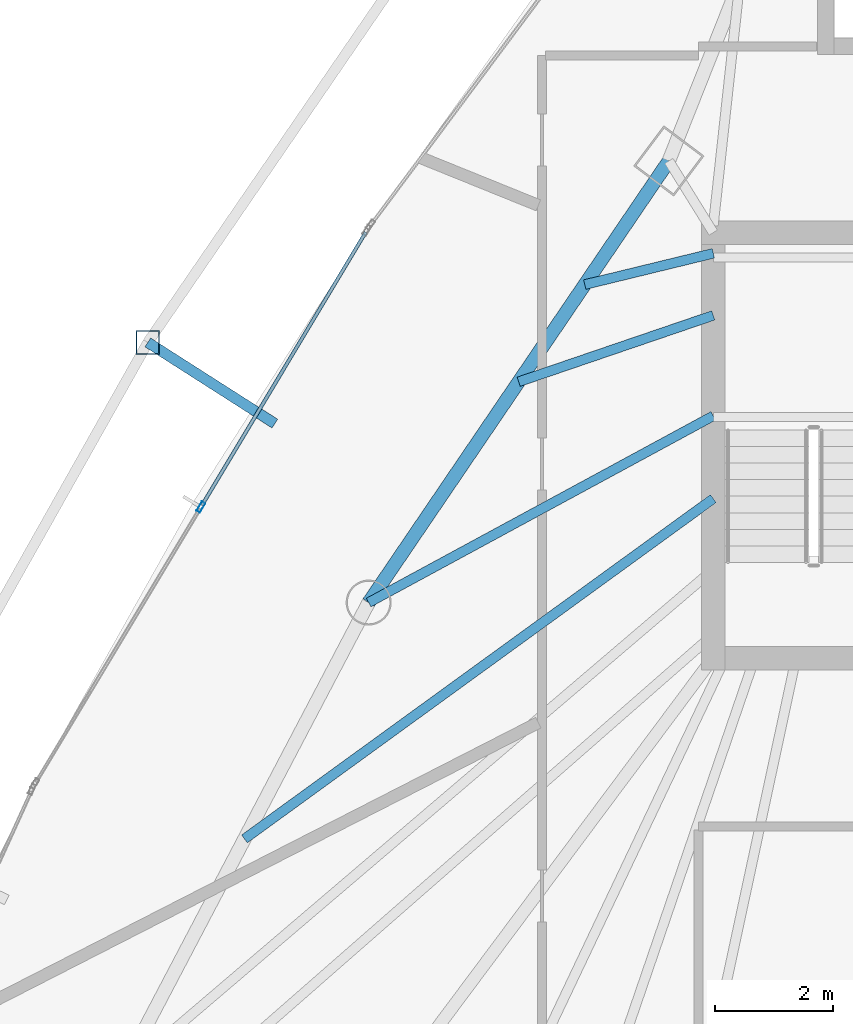
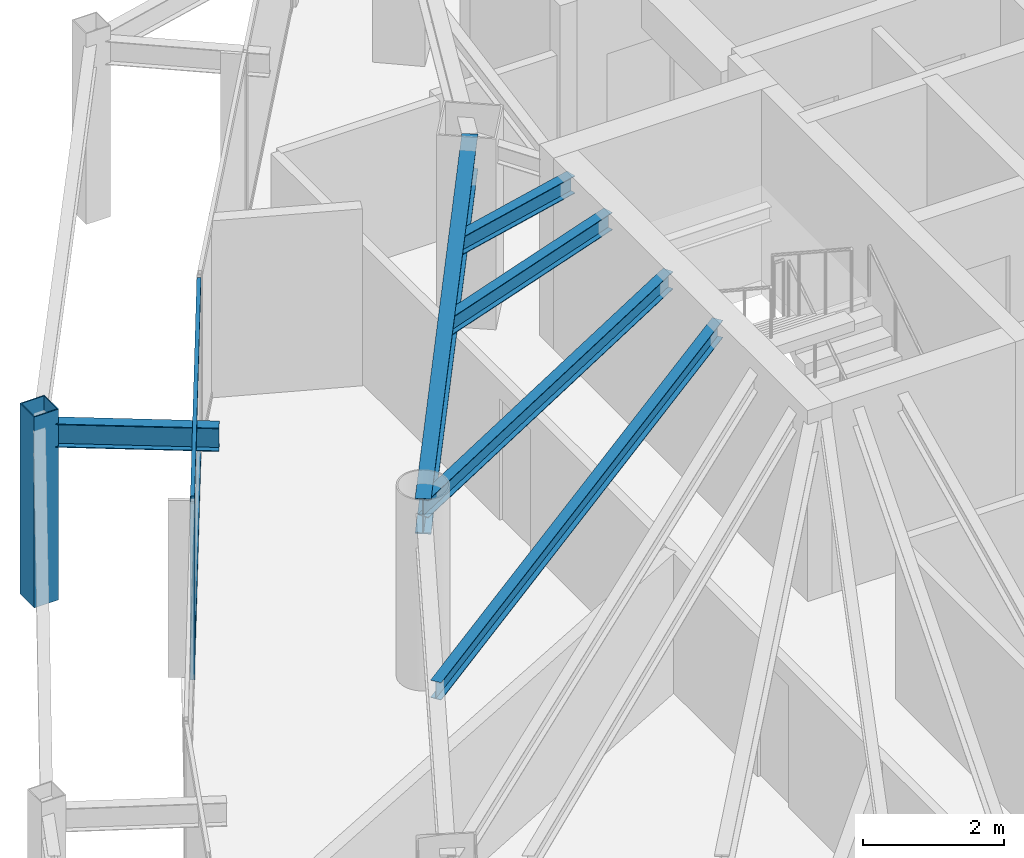
# One storey, part 12 of 31: 6 beams, 4 members, 1 element without a shape of its own.
"""IFC4 building model written with IfcOpenShell, lengths in metres."""

import ifcopenshell
import ifcopenshell.guid

model = None  # the IFC model being written
_history = None  # IfcOwnerHistory: only IFC2X3 demands one
_inside = {}  # id of a spatial element -> (the spatial element, [elements in it])
_under = {}  # id of a project, library or spatial element -> (it, [spatial elements below it])
_declared = {}  # id of a project -> (the project, [libraries it declares])
_typed = {}  # id of a type object -> (the type object, [elements of that type])
_made_of = {}  # id of a material, layer set ... -> (it, [elements and type objects made of it])


def new_model(schema):
    """Start an empty IFC model of exactly this schema.

    Asked for "IFC4X3", IfcOpenShell would pick the latest addendum, in which some entities
    have other attributes; the version numbers below select the first issue.
    IFC2X3 requires an IfcOwnerHistory on every rooted entity: one is made here for all.
    """
    global model, _history
    if schema == "IFC4X3":
        model = ifcopenshell.file(schema_version=(4, 3, 0, 0))
    else:
        model = ifcopenshell.file(schema=schema)
    _inside.clear()
    _under.clear()
    _declared.clear()
    _typed.clear()
    _made_of.clear()
    _history = None
    if model.schema == "IFC2X3":
        org = make("IfcOrganization", Name="unknown")
        user = make(
            "IfcPersonAndOrganization",
            ThePerson=make("IfcPerson", FamilyName="unknown"),
            TheOrganization=org,
        )
        app = make(
            "IfcApplication",
            ApplicationDeveloper=org,
            Version="unknown",
            ApplicationFullName="unknown",
            ApplicationIdentifier="unknown",
        )
        _history = make(
            "IfcOwnerHistory",
            OwningUser=user,
            OwningApplication=app,
            ChangeAction="ADDED",
            CreationDate=0,
        )
    return model


def make(cls, **values):
    """One entity of the class cls with the attributes given. An attribute that is None is left unset."""
    return model.create_entity(
        cls, **{name: value for name, value in values.items() if value is not None}
    )


def rooted(cls, **values):
    """An entity with a GlobalId (a new one), such as an element, a storey or a relation."""
    return make(cls, GlobalId=ifcopenshell.guid.new(), OwnerHistory=_history, **values)


def si_unit(unit_type, name, prefix=None):
    """IfcSIUnit, for example si_unit("LENGTHUNIT", "METRE", prefix="MILLI")."""
    return make("IfcSIUnit", UnitType=unit_type, Prefix=prefix, Name=name)


def assignment(units):
    """IfcUnitAssignment: the units of a project."""
    return None if units is None else make("IfcUnitAssignment", Units=units)


def point(xyz):
    """IfcCartesianPoint."""
    return None if xyz is None else make("IfcCartesianPoint", Coordinates=xyz)


def direction(xyz):
    """IfcDirection."""
    return None if xyz is None else make("IfcDirection", DirectionRatios=xyz)


def frame(location, z_axis=None, x_axis=None):
    """IfcAxis2Placement3D, a coordinate frame: its origin and axes. An axis left out is left unset."""
    return make(
        "IfcAxis2Placement3D",
        Location=point(location),
        Axis=direction(z_axis),
        RefDirection=direction(x_axis),
    )


def frame_2d(location, x_axis=None):
    """IfcAxis2Placement2D, a coordinate frame in the plane: its origin and x axis."""
    return make(
        "IfcAxis2Placement2D", Location=point(location), RefDirection=direction(x_axis)
    )


def origin():
    """The frame at (0, 0, 0) with its axes left unset."""
    return frame((0.0, 0.0, 0.0))


def origin_2d():
    """The frame at (0, 0) in the plane with its x axis left unset."""
    return frame_2d((0.0, 0.0))


def place(relative_to, where):
    """IfcLocalPlacement: puts the frame where relative to a parent placement (None: the world)."""
    return make(
        "IfcLocalPlacement", PlacementRelTo=relative_to, RelativePlacement=where
    )


def context(
    kind, dimensions, precision=None, world=None, true_north=None, identifier=None
):
    """IfcGeometricRepresentationContext, for example the 3D "Model" context."""
    return make(
        "IfcGeometricRepresentationContext",
        ContextIdentifier=identifier,
        ContextType=kind,
        CoordinateSpaceDimension=dimensions,
        Precision=precision,
        WorldCoordinateSystem=world,
        TrueNorth=true_north,
    )


def subcontext(parent, identifier, kind, view, scale=None):
    """IfcGeometricRepresentationSubContext, for example "Body" below "Model"."""
    return make(
        "IfcGeometricRepresentationSubContext",
        ContextIdentifier=identifier,
        ContextType=kind,
        ParentContext=parent,
        TargetScale=scale,
        TargetView=view,
    )


def project(units=None, contexts=None):
    """IfcProject with its units and contexts."""
    return rooted(
        "IfcProject",
        Name="project",
        RepresentationContexts=contexts,
        UnitsInContext=assignment(units),
    )


def spatial(cls, under=None, at=None, **own):
    """A site, building, storey or space (cls), placed at a placement, below another one or the project."""
    s = rooted(cls, ObjectPlacement=at, **own)
    if under is not None:
        _under.setdefault(under.id(), (under, []))[1].append(s)
    return s


def profile(cls, at=None, kind="AREA", **sizes):
    """A parametric profile (cls). Its sizes go by their IFC names, for example OverallWidth=200.0."""
    return make(cls, ProfileType=kind, Position=at, **sizes)


def hollow_rectangle(**sizes):
    """IfcRectangleHollowProfileDef."""
    return profile("IfcRectangleHollowProfileDef", **sizes)


def i_section(**sizes):
    """IfcIShapeProfileDef."""
    return profile("IfcIShapeProfileDef", **sizes)


def extrude(swept, where, along, depth):
    """IfcExtrudedAreaSolid: the profile swept, set in the frame where, extruded along a direction by depth."""
    return make(
        "IfcExtrudedAreaSolid",
        SweptArea=swept,
        Position=where,
        ExtrudedDirection=direction(along),
        Depth=depth,
    )


def shape(context_of_items, identifier, shape_type, items):
    """IfcShapeRepresentation: the items that make up one representation, for example the "Body"."""
    return make(
        "IfcShapeRepresentation",
        ContextOfItems=context_of_items,
        RepresentationIdentifier=identifier,
        RepresentationType=shape_type,
        Items=items,
    )


def material(Name=None, Category=None):
    """IfcMaterial."""
    return make("IfcMaterial", Name=Name, Category=Category)


def layer(
    of_material, thickness, ventilated=None, Name=None, Category=None, Priority=None
):
    """IfcMaterialLayer: one layer of a wall or slab, of a material (None: an air gap)."""
    return make(
        "IfcMaterialLayer",
        Material=of_material,
        LayerThickness=thickness,
        IsVentilated=ventilated,
        Name=Name,
        Category=Category,
        Priority=Priority,
    )


def layer_set(layers, Name=None):
    """IfcMaterialLayerSet."""
    return make("IfcMaterialLayerSet", MaterialLayers=layers, LayerSetName=Name)


def material_profile(
    of_material, cross_section, Name=None, Category=None, Priority=None
):
    """IfcMaterialProfile: a cross section and its material."""
    return make(
        "IfcMaterialProfile",
        Name=Name,
        Material=of_material,
        Profile=cross_section,
        Priority=Priority,
        Category=Category,
    )


def profile_set(profiles, Name=None, composite=None):
    """IfcMaterialProfileSet."""
    return make(
        "IfcMaterialProfileSet",
        Name=Name,
        MaterialProfiles=profiles,
        CompositeProfile=composite,
    )


def made_of(thing, what):
    """Note that an element or type object is made of a material, layer set ...; save() writes the relation."""
    if what is not None:
        _made_of.setdefault(what.id(), (what, []))[1].append(thing)
    return thing


def type_object(cls, material=None, **own):
    """A type object (cls), such as IfcWallType, which elements share."""
    return made_of(rooted(cls, **own), material)


def element(
    cls,
    number,
    at=None,
    inside=None,
    cuts=None,
    type_object=None,
    material=None,
    context=None,
    identifier="Body",
    shape_type=None,
    held_by="IfcProductDefinitionShape",
    body=None,
    shapes=None,
    **own,
):
    """One element of the class cls, such as IfcWall. Its Tag is "e" and its number.

    at: its placement. inside: the storey or other place that contains it. cuts: it is an
    opening in that element (IfcRelVoidsElement). A single representation is given by context,
    identifier, shape_type and body (its items); several are given by shapes. held_by: the class
    of the entity that holds the representations. save() writes the other relations.
    """
    e = rooted(cls, Tag="e%d" % number, ObjectPlacement=at, **own)
    if body is not None:
        shapes = [shape(context, identifier, shape_type, body)]
    if shapes is not None:
        e.Representation = make(held_by, Representations=shapes)
    if inside is not None:
        _inside.setdefault(inside.id(), (inside, []))[1].append(e)
    if cuts is not None:
        rooted(
            "IfcRelVoidsElement", RelatingBuildingElement=cuts, RelatedOpeningElement=e
        )
    if type_object is not None:
        _typed.setdefault(type_object.id(), (type_object, []))[1].append(e)
    return made_of(e, material)


def aggregate(whole, parts):
    """IfcRelAggregates: a whole, such as a stair, and the parts it consists of."""
    return rooted("IfcRelAggregates", RelatingObject=whole, RelatedObjects=parts)


def save(model, path):
    """Write the relations noted so far, then the file.

    IfcRelAggregates (storeys below a building ...), IfcRelContainedInSpatialStructure (elements
    in a storey), IfcRelDefinesByType, IfcRelAssociatesMaterial and IfcRelDeclares: one each for
    every whole, place, type object, material and project.
    """
    for whole, parts in _under.values():
        aggregate(whole, parts)
    for where, things in _inside.values():
        rooted(
            "IfcRelContainedInSpatialStructure",
            RelatedElements=things,
            RelatingStructure=where,
        )
    for kind, things in _typed.values():
        rooted("IfcRelDefinesByType", RelatedObjects=things, RelatingType=kind)
    for what, things in _made_of.values():
        rooted("IfcRelAssociatesMaterial", RelatedObjects=things, RelatingMaterial=what)
    for by, libraries in _declared.values():
        rooted("IfcRelDeclares", RelatingContext=by, RelatedDefinitions=libraries)
    model.write(path)


model = new_model("IFC4")

# Units and contexts
model_context = context("Model", 3, precision=1e-05, world=origin(), true_north=direction((0.0, 1.0)))
body_context = subcontext(model_context, "Body", "Model", "MODEL_VIEW")
ifc_project = project(units=[si_unit("LENGTHUNIT", "METRE"), si_unit("AREAUNIT", "SQUARE_METRE"), si_unit("VOLUMEUNIT", "CUBIC_METRE"), si_unit("PLANEANGLEUNIT", "RADIAN"), si_unit("MASSUNIT", "GRAM", prefix="KILO")], contexts=[model_context])

# Site, building, storey
site_placement = place(None, origin())
site = spatial("IfcSite", under=ifc_project, at=site_placement, CompositionType="ELEMENT")
building_placement = place(site_placement, origin())
building = spatial("IfcBuilding", under=site, at=building_placement, Name="Orvanel Arch Residences", CompositionType="ELEMENT")
storey_placement = place(building_placement, frame((0.0, 0.0, 153.949951171875)))
storey = spatial("IfcBuildingStorey", under=building, at=storey_placement, Name="L43", CompositionType="ELEMENT", Elevation=153.949951171875)

# Beams
ifc_material_1 = material(Name="Structural steel AS/NZS 3679.1 Grade 300 (300 MPa)", Category="steel")
ifc_material_profile_1 = material_profile(ifc_material_1, i_section(OverallWidth=0.1650390625, OverallDepth=0.303955078125, WebThickness=0.006103515625, FlangeThickness=0.01025390625, at=origin_2d()), Name="310UB40.4")
ifc_profile_set_1 = profile_set([ifc_material_profile_1], Name="Structural steel AS/NZS 3679.1 Grade 300 (300 MPa)")
beam_type_1 = type_object("IfcBeamType", Name="BJ-310UB", PredefinedType="JOIST", material=ifc_profile_set_1)
beam_1_placement = place(storey_placement, frame((26.39990234375, 30.800048828125, 2.907958984375), z_axis=(-0.87925534649, -0.476350748576, 0.0), x_axis=(0.476350748576, -0.87925534649, 0.0)))
element("IfcBeam", 1, at=beam_1_placement, inside=storey, type_object=beam_type_1, Name="L43 NW Wing Floor Joist", PredefinedType="JOIST", context=body_context, shape_type="SweptSolid", body=[
    extrude(i_section(OverallWidth=0.1650390625, OverallDepth=0.303955078125, WebThickness=0.006103515625, FlangeThickness=0.01025390625, at=origin_2d()), origin(), (0.0, 0.0, 1.0), 6.631591796875),
])
beam_2_placement = place(storey_placement, frame((26.39990234375, 32.5, 2.907958984375), z_axis=(-0.946441958332, -0.322873999431, 0.0), x_axis=(0.322873999431, -0.946441958332, 0.0)))
element("IfcBeam", 2, at=beam_2_placement, inside=storey, type_object=beam_type_1, Name="L43 WNW Wing Floor Joist", PredefinedType="JOIST", context=body_context, shape_type="SweptSolid", body=[
    extrude(i_section(OverallWidth=0.1650390625, OverallDepth=0.303955078125, WebThickness=0.006103515625, FlangeThickness=0.01025390625, at=origin_2d()), origin(), (0.0, 0.0, 1.0), 3.478271484375),
])
beam_3_placement = place(storey_placement, frame((26.39990234375, 29.39990234375, 2.907958984375), z_axis=(-0.809261403954, -0.587448704203, 0.0), x_axis=(0.587448704203, -0.809261403954, 0.0)))
element("IfcBeam", 3, at=beam_3_placement, inside=storey, type_object=beam_type_1, Name="L43 CTW Wing Floor Joist", PredefinedType="JOIST", context=body_context, shape_type="SweptSolid", body=[
    extrude(i_section(OverallWidth=0.1650390625, OverallDepth=0.303955078125, WebThickness=0.006103515625, FlangeThickness=0.01025390625, at=origin_2d()), origin(), (0.0, 0.0, 1.0), 9.80126953125),
])
beam_4_placement = place(storey_placement, frame((26.39990234375, 33.550048828125, 2.907958984375), z_axis=(-0.971638471014, -0.236471312521, 0.0), x_axis=(0.236471312521, -0.971638471014, 0.0)))
element("IfcBeam", 4, at=beam_4_placement, inside=storey, type_object=beam_type_1, Name="L43 JADD3 Wing Floor Joist", PredefinedType="JOIST", context=body_context, shape_type="SweptSolid", body=[
    extrude(i_section(OverallWidth=0.1650390625, OverallDepth=0.303955078125, WebThickness=0.006103515625, FlangeThickness=0.01025390625, at=origin_2d()), origin(), (0.0, 0.0, 1.0), 2.2373046875),
])

# Curtain wall, member
ifc_material_2 = material(Name="Bronze-anodised aluminium AA6063-T6", Category="aluminium")
ifc_layer = layer(ifc_material_2, 0.179931640625)
ifc_layer_set = layer_set([ifc_layer], Name="Bronze-anodised aluminium AA6063-T6")
curtain_wall_type = type_object("IfcCurtainWallType", Name="CW3-MID-SYS", PredefinedType="NOTDEFINED", material=ifc_layer_set)
curtain_wall_placement = place(storey_placement, origin())
curtain_wall = element("IfcCurtainWall", 5, at=curtain_wall_placement, inside=storey, type_object=curtain_wall_type, Name="L43 CW3-MID-SYS Unitised Curtain Wall", PredefinedType="NOTDEFINED")
ifc_material_profile_2 = material_profile(ifc_material_2, hollow_rectangle(XDim=0.070068359375, YDim=0.179931640625, WallThickness=0.00439453125, at=origin_2d()), Name="ALU180x70x4.5")
ifc_profile_set_2 = profile_set([ifc_material_profile_2], Name="Bronze-anodised aluminium AA6063-T6")
member_type_1 = type_object("IfcMemberType", Name="MUL-180x70", PredefinedType="MULLION", material=ifc_profile_set_2)
member_1_placement = place(storey_placement, frame((17.73095703125, 29.257080078125, 0.0), z_axis=(0.0, 0.0, 1.0), x_axis=(0.857541106242, -0.514415446021, 0.0)))
member_1 = element("IfcMember", 6, at=member_1_placement, type_object=member_type_1, Name="CW-S3 mullion 2", PredefinedType="MULLION", context=body_context, shape_type="SweptSolid", body=[
    extrude(hollow_rectangle(XDim=0.070068359375, YDim=0.179931640625, WallThickness=0.00439453125, at=origin_2d()), origin(), (0.0, 0.0, 1.0), 3.06005859375),
])

# Beams
ifc_material_profile_3 = material_profile(ifc_material_1, i_section(OverallWidth=0.177978515625, OverallDepth=0.406005859375, WebThickness=0.0078125, FlangeThickness=0.0126953125, at=origin_2d()), Name="410UB59.7")
ifc_profile_set_3 = profile_set([ifc_material_profile_3], Name="Structural steel AS/NZS 3679.1 Grade 300 (300 MPa)")
beam_type_2 = type_object("IfcBeamType", Name="OB-410UB-EXT", PredefinedType="SPANDREL", material=ifc_profile_set_3)
beam_5_placement = place(storey_placement, frame((18.98193359375, 30.6689453125, 2.85693359375), z_axis=(-0.842674541319, 0.538423269754, 0.0), x_axis=(-0.538423269754, -0.842674541319, 0.0)))
element("IfcBeam", 7, at=beam_5_placement, inside=storey, type_object=beam_type_2, Name="L43 Outer Frame Radial Tie Beam 02", PredefinedType="SPANDREL", context=body_context, shape_type="SweptSolid", body=[
    extrude(i_section(OverallWidth=0.177978515625, OverallDepth=0.406005859375, WebThickness=0.0078125, FlangeThickness=0.0126953125, at=origin_2d()), origin(), (0.0, 0.0, 1.0), 2.550048828125),
])
ifc_material_profile_4 = material_profile(ifc_material_1, i_section(OverallWidth=0.22900390625, OverallDepth=0.612060546875, WebThickness=0.011962890625, FlangeThickness=0.01953125, at=origin_2d()), Name="610UB125")
ifc_profile_set_4 = profile_set([ifc_material_profile_4], Name="Structural steel AS/NZS 3679.1 Grade 300 (300 MPa)")
beam_type_3 = type_object("IfcBeamType", Name="SP-610UB", PredefinedType="SPANDREL", material=ifc_profile_set_4)
beam_6_placement = place(storey_placement, frame((25.64794921875, 35.113037109375, 2.754150390625), z_axis=(-0.562154793153, -0.827032035978, 0.0), x_axis=(0.827032035978, -0.562154793153, 0.0)))
element("IfcBeam", 8, at=beam_6_placement, inside=storey, type_object=beam_type_3, Name="L43 Perimeter Spandrel Beam 17", PredefinedType="SPANDREL", context=body_context, shape_type="SweptSolid", body=[
    extrude(i_section(OverallWidth=0.22900390625, OverallDepth=0.612060546875, WebThickness=0.011962890625, FlangeThickness=0.01953125, at=origin_2d()), origin(), (0.0, 0.0, 1.0), 9.03466796875),
])

# Member
ifc_material_3 = material(Name="Structural steel AS/NZS 1163 C450L0 (Grade 450)", Category="steel")
ifc_material_profile_5 = material_profile(ifc_material_3, hollow_rectangle(XDim=0.39990234375, YDim=0.39990234375, WallThickness=0.01611328125, at=origin_2d()), Name="SHS400x400x16")
ifc_profile_set_5 = profile_set([ifc_material_profile_5], Name="Structural steel AS/NZS 1163 C450L0 (Grade 450)")
member_type_2 = type_object("IfcMemberType", Name="ST-400SHS-EXT", PredefinedType="STRUT", material=ifc_profile_set_5)
member_2_placement = place(storey_placement, frame((16.8330078125, 32.0419921875, 0.0), z_axis=(0.0, 0.0, 1.0), x_axis=(1.0, 0.0, 0.0)))
element("IfcMember", 9, at=member_2_placement, inside=storey, type_object=member_type_2, Name="L43 Outer Perimeter Frame Post 02", PredefinedType="STRUT", context=body_context, shape_type="SweptSolid", body=[
    extrude(hollow_rectangle(XDim=0.39990234375, YDim=0.39990234375, WallThickness=0.01611328125, at=origin_2d()), origin(), (0.0, 0.0, 1.0), 3.300048828125),
])

ifc_material_profile_6 = material_profile(ifc_material_2, hollow_rectangle(XDim=0.06005859375, YDim=0.135009765625, WallThickness=0.00390625, at=origin_2d()), Name="ALU135x60x4")
ifc_profile_set_6 = profile_set([ifc_material_profile_6], Name="Bronze-anodised aluminium AA6063-T6")
member_type_3 = type_object("IfcMemberType", Name="TRN-135x60", PredefinedType="USERDEFINED", material=ifc_profile_set_6)
member_3_placement = place(storey_placement, frame((20.52099609375, 33.907958984375, 0.030029296875), z_axis=(-0.514422461846, -0.857536897601, 0.0), x_axis=(0.857536897601, -0.514422461846, 0.0)))
member_3 = element("IfcMember", 10, at=member_3_placement, type_object=member_type_3, Name="CW-S3 transom 1.1", ObjectType="TRANSOM", PredefinedType="USERDEFINED", context=body_context, shape_type="SweptSolid", body=[
    extrude(hollow_rectangle(XDim=0.06005859375, YDim=0.135009765625, WallThickness=0.00390625, at=origin_2d()), origin(), (0.0, 0.0, 1.0), 5.388427734375),
])

member_4_placement = place(storey_placement, frame((20.52099609375, 33.907958984375, 3.030029296875), z_axis=(-0.514422461846, -0.857536897601, 0.0), x_axis=(0.857536897601, -0.514422461846, 0.0)))
member_4 = element("IfcMember", 11, at=member_4_placement, type_object=member_type_3, Name="CW-S3 transom 1.2", ObjectType="TRANSOM", PredefinedType="USERDEFINED", context=body_context, shape_type="SweptSolid", body=[
    extrude(hollow_rectangle(XDim=0.06005859375, YDim=0.135009765625, WallThickness=0.00390625, at=origin_2d()), origin(), (0.0, 0.0, 1.0), 5.388427734375),
])

aggregate(curtain_wall, [member_1, member_3, member_4])

save(model, "model.ifc")
